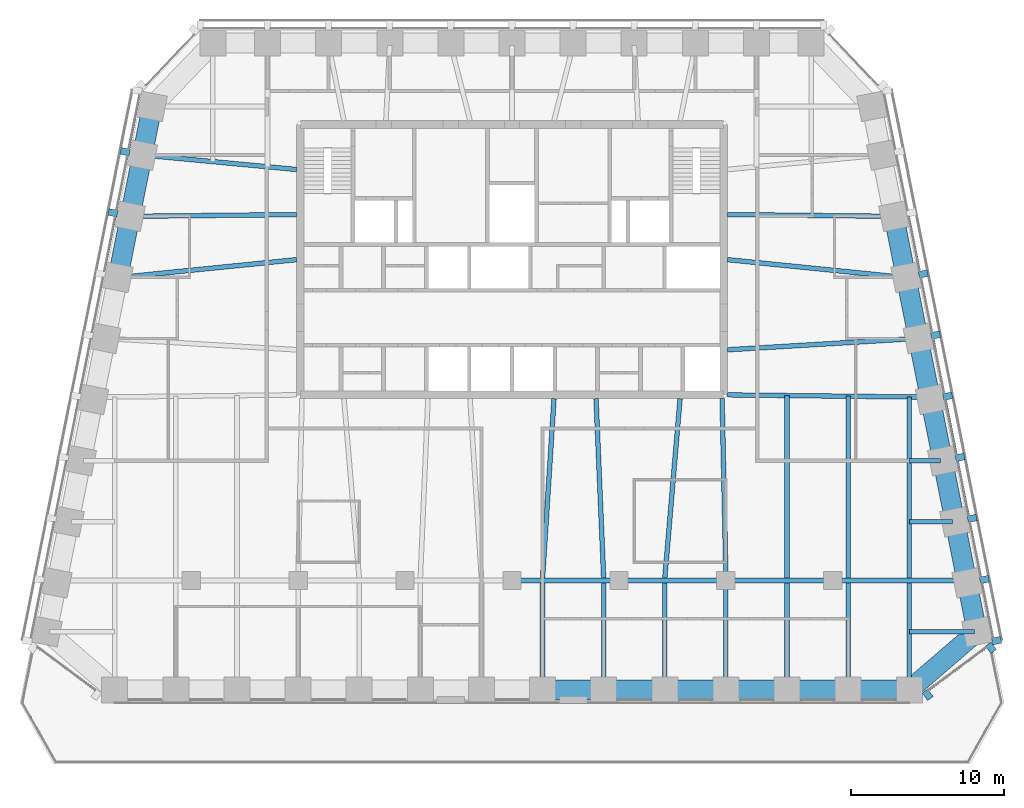
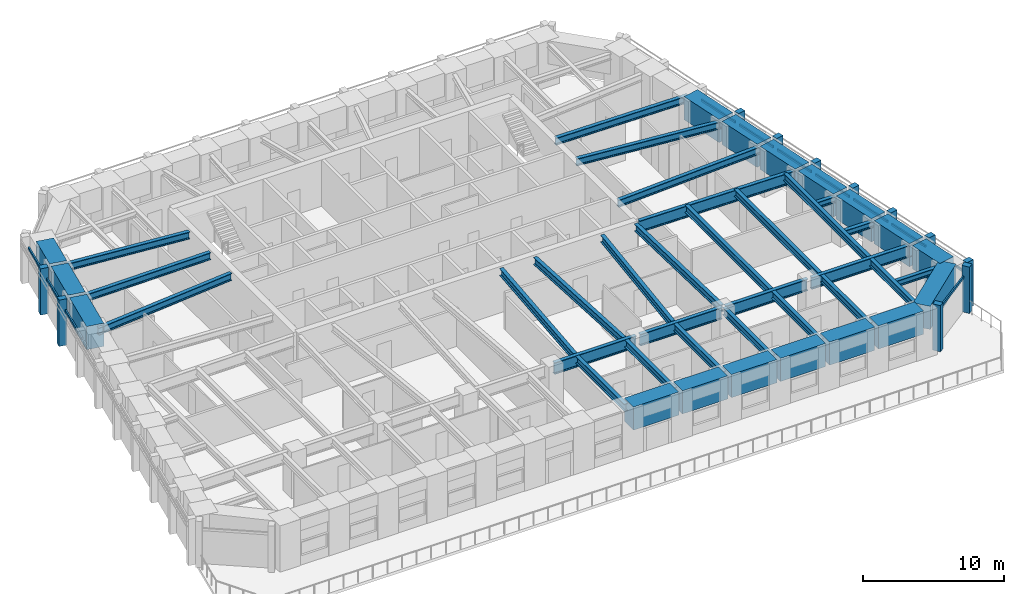
# One storey, part 2 of 10: 45 beams, 22 members, 3 elements without a shape of their own.
"""IFC4 building model written with IfcOpenShell, lengths in metres."""

from ifc_helpers import new_model, si_unit, direction, frame, origin, origin_2d, place, context, subcontext, project, spatial, rectangle, i_section, extrude, material, material_profile, profile_set, type_object, element, aggregate, save


model = new_model("IFC4")

# Units and contexts
model_context = context("Model", 3, precision=1e-05, world=origin(), true_north=direction((0.0, 1.0)))
body_context = subcontext(model_context, "Body", "Model", "MODEL_VIEW")
ifc_project = project(units=[si_unit("LENGTHUNIT", "METRE"), si_unit("AREAUNIT", "SQUARE_METRE"), si_unit("VOLUMEUNIT", "CUBIC_METRE"), si_unit("PLANEANGLEUNIT", "RADIAN"), si_unit("MASSUNIT", "GRAM", prefix="KILO")], contexts=[model_context])

# Site, building, storey
site_placement = place(None, origin())
site = spatial("IfcSite", under=ifc_project, at=site_placement, CompositionType="ELEMENT")
building_placement = place(site_placement, origin())
building = spatial("IfcBuilding", under=site, at=building_placement, Name="Isbrekke Arena Tower", CompositionType="ELEMENT")
storey_placement = place(building_placement, frame((0.0, 0.0, 260.0)))
storey = spatial("IfcBuildingStorey", under=building, at=storey_placement, Name="L60", CompositionType="ELEMENT", Elevation=260.0)

# Beams
ifc_material_1 = material(Name="Steel S355", Category="steel")
ifc_material_profile_1 = material_profile(ifc_material_1, i_section(OverallWidth=0.304931640625, OverallDepth=0.6201171875, WebThickness=0.02099609375, FlangeThickness=0.0400390625, FilletRadius=0.027099609375, at=origin_2d()), Name="HEM 600")
ifc_profile_set_1 = profile_set([ifc_material_profile_1], Name="Steel S355")
beam_type_1 = type_object("IfcBeamType", Name="B4 HEM 600", PredefinedType="BEAM", material=ifc_profile_set_1)
for number, where, z_axis, x_axis, name in (
    (1, (2.0, -13.02490234375, 3.5400390625), (0.0, 1.0, 0.0), (-1.0, 0.0, 0.0), "B4 beam S-S08 L60"),
    (2, (6.0, -13.02490234375, 3.5400390625), (0.0, 1.0, 0.0), (-1.0, 0.0, 0.0), "B4 beam S-S09 L60"),
    (3, (10.0, -13.02490234375, 3.5400390625), (0.0, 1.0, 0.0), (-1.0, 0.0, 0.0), "B4 beam S-S10 L60"),
):
    element("IfcBeam", number, at=place(storey_placement, frame(where, z_axis=z_axis, x_axis=x_axis)), inside=storey, type_object=beam_type_1, Name=name, PredefinedType="BEAM", context=body_context, shape_type="SweptSolid", body=[
        extrude(i_section(OverallWidth=0.304931640625, OverallDepth=0.6201171875, WebThickness=0.02099609375, FlangeThickness=0.0400390625, FilletRadius=0.027099609375, at=origin_2d()), origin(), (0.0, 0.0, 1.0), 6.8740234375),
    ])
beam_1_placement = place(storey_placement, frame((14.0, -13.02490234375, 3.5400390625), z_axis=(0.0, 1.0, 0.0), x_axis=(-1.0, 0.0, 0.0)))
element("IfcBeam", 4, at=beam_1_placement, inside=storey, type_object=beam_type_1, Name="B4 beam S-S11 L60", PredefinedType="BEAM", context=body_context, shape_type="SweptSolid", body=[
    extrude(i_section(OverallWidth=0.304931640625, OverallDepth=0.6201171875, WebThickness=0.02099609375, FlangeThickness=0.0400390625, FilletRadius=0.027099609375, at=origin_2d()), origin(), (0.0, 0.0, 1.0), 6.875),
])
for number, where, z_axis, x_axis, name in (
    (5, (18.0, -13.02490234375, 3.5400390625), (0.0, 1.0, 0.0), (-1.0, 0.0, 0.0), "B4 beam S-S12 L60"),
    (6, (22.0, -13.02490234375, 3.5400390625), (0.0, 1.0, 0.0), (-1.0, 0.0, 0.0), "B4 beam S-S13 L60"),
    (7, (26.0, -13.02490234375, 3.5400390625), (0.0, 1.0, 0.0), (-1.0, 0.0, 0.0), "B4 beam S-S14 L60"),
):
    element("IfcBeam", number, at=place(storey_placement, frame(where, z_axis=z_axis, x_axis=x_axis)), inside=storey, type_object=beam_type_1, Name=name, PredefinedType="BEAM", context=body_context, shape_type="SweptSolid", body=[
        extrude(i_section(OverallWidth=0.304931640625, OverallDepth=0.6201171875, WebThickness=0.02099609375, FlangeThickness=0.0400390625, FilletRadius=0.027099609375, at=origin_2d()), origin(), (0.0, 0.0, 1.0), 6.8740234375),
    ])
beam_2_placement = place(storey_placement, frame((2.000732421875, -5.83935546875, 3.5400390625), z_axis=(0.063696196046, 0.997969335506, 0.0), x_axis=(-0.997969335506, 0.063696196046, 0.0)))
element("IfcBeam", 8, at=beam_2_placement, inside=storey, type_object=beam_type_1, Name="B4 beam C-M08 L60", PredefinedType="BEAM", context=body_context, shape_type="SweptSolid", body=[
    extrude(i_section(OverallWidth=0.304931640625, OverallDepth=0.6201171875, WebThickness=0.02099609375, FlangeThickness=0.0400390625, FilletRadius=0.027099609375, at=origin_2d()), origin(), (0.0, 0.0, 1.0), 11.76318359375),
])
beam_3_placement = place(storey_placement, frame((5.999755859375, -5.842529296875, 3.5400390625), z_axis=(-0.042521334166, 0.999095559064, 0.0), x_axis=(-0.999095559064, -0.042521334166, 0.0)))
element("IfcBeam", 9, at=beam_3_placement, inside=storey, type_object=beam_type_1, Name="B4 beam C-M09 L60", PredefinedType="BEAM", context=body_context, shape_type="SweptSolid", body=[
    extrude(i_section(OverallWidth=0.304931640625, OverallDepth=0.6201171875, WebThickness=0.02099609375, FlangeThickness=0.0400390625, FilletRadius=0.027099609375, at=origin_2d()), origin(), (0.0, 0.0, 1.0), 11.753173828125),
])
beam_4_placement = place(storey_placement, frame((10.0009765625, -5.836181640625, 3.5400390625), z_axis=(0.084817344046, 0.996396516528, 0.0), x_axis=(-0.996396516528, 0.084817344046, 0.0)))
element("IfcBeam", 10, at=beam_4_placement, inside=storey, type_object=beam_type_1, Name="B4 beam C-M10 L60", PredefinedType="BEAM", context=body_context, shape_type="SweptSolid", body=[
    extrude(i_section(OverallWidth=0.304931640625, OverallDepth=0.6201171875, WebThickness=0.02099609375, FlangeThickness=0.0400390625, FilletRadius=0.027099609375, at=origin_2d()), origin(), (0.0, 0.0, 1.0), 11.778564453125),
])
beam_5_placement = place(storey_placement, frame((14.0, -5.8466796875, 3.5400390625), z_axis=(-0.021277968258, 0.999773598405, 0.0), x_axis=(-0.999773598405, -0.021277968258, 0.0)))
element("IfcBeam", 11, at=beam_5_placement, inside=storey, type_object=beam_type_1, Name="B4 beam C-M11 L60", PredefinedType="BEAM", context=body_context, shape_type="SweptSolid", body=[
    extrude(i_section(OverallWidth=0.304931640625, OverallDepth=0.6201171875, WebThickness=0.02099609375, FlangeThickness=0.0400390625, FilletRadius=0.027099609375, at=origin_2d()), origin(), (0.0, 0.0, 1.0), 11.749267578125),
])
beam_6_placement = place(storey_placement, frame((18.0, -5.84912109375, 3.5400390625), z_axis=(0.0, 1.0, 0.0), x_axis=(-1.0, 0.0, 0.0)))
element("IfcBeam", 12, at=beam_6_placement, inside=storey, type_object=beam_type_1, Name="B4 beam C-M12 L60", PredefinedType="BEAM", context=body_context, shape_type="SweptSolid", body=[
    extrude(i_section(OverallWidth=0.304931640625, OverallDepth=0.6201171875, WebThickness=0.02099609375, FlangeThickness=0.0400390625, FilletRadius=0.027099609375, at=origin_2d()), origin(), (0.0, 0.0, 1.0), 11.955078125),
])
beam_7_placement = place(storey_placement, frame((22.0, -5.84912109375, 3.5400390625), z_axis=(0.0, 1.0, 0.0), x_axis=(-1.0, 0.0, 0.0)))
element("IfcBeam", 13, at=beam_7_placement, inside=storey, type_object=beam_type_1, Name="B4 beam C-M13 L60", PredefinedType="BEAM", context=body_context, shape_type="SweptSolid", body=[
    extrude(i_section(OverallWidth=0.304931640625, OverallDepth=0.6201171875, WebThickness=0.02099609375, FlangeThickness=0.0400390625, FilletRadius=0.027099609375, at=origin_2d()), origin(), (0.0, 0.0, 1.0), 11.909912109375),
])
beam_8_placement = place(storey_placement, frame((26.0, -5.84912109375, 3.5400390625), z_axis=(0.0, 1.0, 0.0), x_axis=(-1.0, 0.0, 0.0)))
element("IfcBeam", 14, at=beam_8_placement, inside=storey, type_object=beam_type_1, Name="B4 beam C-M14 L60", PredefinedType="BEAM", context=body_context, shape_type="SweptSolid", body=[
    extrude(i_section(OverallWidth=0.304931640625, OverallDepth=0.6201171875, WebThickness=0.02099609375, FlangeThickness=0.0400390625, FilletRadius=0.027099609375, at=origin_2d()), origin(), (0.0, 0.0, 1.0), 11.86474609375),
])
beam_9_placement = place(storey_placement, frame((26.431884765625, 9.837646484375, 3.5400390625), z_axis=(-0.998216240514, -0.059702070095, 0.0), x_axis=(0.059702070095, -0.998216240514, 0.0)))
element("IfcBeam", 15, at=beam_9_placement, inside=storey, type_object=beam_type_1, Name="B4 beam E-E06 L60", PredefinedType="BEAM", context=body_context, shape_type="SweptSolid", body=[
    extrude(i_section(OverallWidth=0.304931640625, OverallDepth=0.6201171875, WebThickness=0.02099609375, FlangeThickness=0.0400390625, FilletRadius=0.027099609375, at=origin_2d()), origin(), (0.0, 0.0, 1.0), 12.353759765625),
])
beam_10_placement = place(storey_placement, frame((25.625732421875, 13.83984375, 3.5400390625), z_axis=(-0.994972081505, 0.100152668587, 0.0), x_axis=(-0.100152668587, -0.994972081505, 0.0)))
element("IfcBeam", 16, at=beam_10_placement, inside=storey, type_object=beam_type_1, Name="B4 beam E-E07 L60", PredefinedType="BEAM", context=body_context, shape_type="SweptSolid", body=[
    extrude(i_section(OverallWidth=0.304931640625, OverallDepth=0.6201171875, WebThickness=0.02099609375, FlangeThickness=0.0400390625, FilletRadius=0.027099609375, at=origin_2d()), origin(), (0.0, 0.0, 1.0), 11.583984375),
])
beam_11_placement = place(storey_placement, frame((24.83935546875, 17.838134765625, 3.5400390625), z_axis=(-0.999945800258, 0.010411366203, 0.0), x_axis=(-0.010411366203, -0.999945800258, 0.0)))
element("IfcBeam", 17, at=beam_11_placement, inside=storey, type_object=beam_type_1, Name="B4 beam E-E08 L60", PredefinedType="BEAM", context=body_context, shape_type="SweptSolid", body=[
    extrude(i_section(OverallWidth=0.304931640625, OverallDepth=0.6201171875, WebThickness=0.02099609375, FlangeThickness=0.0400390625, FilletRadius=0.027099609375, at=origin_2d()), origin(), (0.0, 0.0, 1.0), 10.73974609375),
])
beam_12_placement = place(storey_placement, frame((-24.02685546875, 21.8369140625, 3.5400390625), z_axis=(0.995574576627, -0.093974796485, 0.0), x_axis=(0.093974796485, 0.995574576627, 0.0)))
element("IfcBeam", 18, at=beam_12_placement, inside=storey, type_object=beam_type_1, Name="B4 beam E-W02 L60", PredefinedType="BEAM", context=body_context, shape_type="SweptSolid", body=[
    extrude(i_section(OverallWidth=0.304931640625, OverallDepth=0.6201171875, WebThickness=0.02099609375, FlangeThickness=0.0400390625, FilletRadius=0.027099609375, at=origin_2d()), origin(), (0.0, 0.0, 1.0), 9.970947265625),
])
beam_13_placement = place(storey_placement, frame((-24.83935546875, 17.838134765625, 3.5400390625), z_axis=(0.999945800258, 0.010411366203, 0.0), x_axis=(-0.010411366203, 0.999945800258, 0.0)))
element("IfcBeam", 19, at=beam_13_placement, inside=storey, type_object=beam_type_1, Name="B4 beam E-W03 L60", PredefinedType="BEAM", context=body_context, shape_type="SweptSolid", body=[
    extrude(i_section(OverallWidth=0.304931640625, OverallDepth=0.6201171875, WebThickness=0.02099609375, FlangeThickness=0.0400390625, FilletRadius=0.027099609375, at=origin_2d()), origin(), (0.0, 0.0, 1.0), 10.73974609375),
])
beam_14_placement = place(storey_placement, frame((-25.625732421875, 13.83984375, 3.5400390625), z_axis=(0.994972081505, 0.100152668587, 0.0), x_axis=(-0.100152668587, 0.994972081505, 0.0)))
element("IfcBeam", 20, at=beam_14_placement, inside=storey, type_object=beam_type_1, Name="B4 beam E-W04 L60", PredefinedType="BEAM", context=body_context, shape_type="SweptSolid", body=[
    extrude(i_section(OverallWidth=0.304931640625, OverallDepth=0.6201171875, WebThickness=0.02099609375, FlangeThickness=0.0400390625, FilletRadius=0.027099609375, at=origin_2d()), origin(), (0.0, 0.0, 1.0), 11.583984375),
])
ifc_material_2 = material(Name="Steel S355", Category="steel")
ifc_material_profile_2 = material_profile(ifc_material_2, i_section(OverallWidth=0.305908203125, OverallDepth=0.52392578125, WebThickness=0.02099609375, FlangeThickness=0.0400390625, FilletRadius=0.027099609375, at=origin_2d()), Name="HEM 500")
ifc_profile_set_2 = profile_set([ifc_material_profile_2], Name="Steel S355")
beam_type_2 = type_object("IfcBeamType", Name="B5 HEM 500", PredefinedType="BEAM", material=ifc_profile_set_2)
beam_15_placement = place(storey_placement, frame((30.279296875, -9.352783203125, 3.587890625), z_axis=(-1.0, 0.0, 0.0), x_axis=(0.0, -1.0, 0.0)))
element("IfcBeam", 21, at=beam_15_placement, inside=storey, type_object=beam_type_2, Name="B5 beam E-E01 L60", PredefinedType="BEAM", context=body_context, shape_type="SweptSolid", body=[
    extrude(i_section(OverallWidth=0.305908203125, OverallDepth=0.52392578125, WebThickness=0.02099609375, FlangeThickness=0.0400390625, FilletRadius=0.027099609375, at=origin_2d()), origin(), (0.0, 0.0, 1.0), 4.279296875),
])
beam_16_placement = place(storey_placement, frame((28.841064453125, -2.161865234375, 3.587890625), z_axis=(-1.0, 0.0, 0.0), x_axis=(0.0, -1.0, 0.0)))
element("IfcBeam", 22, at=beam_16_placement, inside=storey, type_object=beam_type_2, Name="B5 beam E-E03 L60", PredefinedType="BEAM", context=body_context, shape_type="SweptSolid", body=[
    extrude(i_section(OverallWidth=0.305908203125, OverallDepth=0.52392578125, WebThickness=0.02099609375, FlangeThickness=0.0400390625, FilletRadius=0.027099609375, at=origin_2d()), origin(), (0.0, 0.0, 1.0), 2.841064453125),
])
beam_17_placement = place(storey_placement, frame((28.041015625, 1.838134765625, 3.587890625), z_axis=(-1.0, 0.0, 0.0), x_axis=(0.0, -1.0, 0.0)))
element("IfcBeam", 23, at=beam_17_placement, inside=storey, type_object=beam_type_2, Name="B5 beam E-E04 L60", PredefinedType="BEAM", context=body_context, shape_type="SweptSolid", body=[
    extrude(i_section(OverallWidth=0.305908203125, OverallDepth=0.52392578125, WebThickness=0.02099609375, FlangeThickness=0.0400390625, FilletRadius=0.027099609375, at=origin_2d()), origin(), (0.0, 0.0, 1.0), 2.041015625),
])

# Curtain wall, members
ifc_material_3 = material(Name="Glazed aluminium curtain wall", Category="aluminium")
curtain_wall_type = type_object("IfcCurtainWallType", Name="CWT TOWER CURTAIN WALL TOP ZONE", PredefinedType="USERDEFINED", material=ifc_material_3)
curtain_wall_1_placement = place(storey_placement, origin())
curtain_wall_1 = element("IfcCurtainWall", 24, at=curtain_wall_1_placement, inside=storey, type_object=curtain_wall_type, Name="CWT curtain wall L60-SE", ObjectType="TOWER CURTAIN WALL TOP ZONE", PredefinedType="USERDEFINED")
ifc_material_4 = material(Name="Copper-clad aluminium mullion", Category="aluminium")
ifc_material_profile_3 = material_profile(ifc_material_4, rectangle(XDim=0.449951171875, YDim=0.60009765625, at=origin_2d()), Name="PIER 450X600")
ifc_profile_set_3 = profile_set([ifc_material_profile_3], Name="Copper-clad aluminium mullion")
member_type_1 = type_object("IfcMemberType", Name="CWT-M PIER MULLION 450 x 600", PredefinedType="MULLION", material=ifc_profile_set_3)
member_1_placement = place(storey_placement, frame((27.206787109375, -13.4794921875, 0.0), z_axis=(0.0, 0.0, 1.0), x_axis=(0.803557193345, 0.595227550626, 0.0)))
member_1 = element("IfcMember", 25, at=member_1_placement, type_object=member_type_1, Name="CWT-M mullion 1", PredefinedType="MULLION", context=body_context, shape_type="SweptSolid", body=[
    extrude(rectangle(XDim=0.449951171875, YDim=0.60009765625, at=origin_2d()), origin(), (0.0, 0.0, 1.0), 4.0),
])
member_2_placement = place(storey_placement, frame((31.3564453125, -10.405517578125, 0.0), z_axis=(0.0, 0.0, 1.0), x_axis=(0.803557193345, 0.595227550626, 0.0)))
member_2 = element("IfcMember", 26, at=member_2_placement, type_object=member_type_1, Name="CWT-M mullion 2", PredefinedType="MULLION", context=body_context, shape_type="SweptSolid", body=[
    extrude(rectangle(XDim=0.449951171875, YDim=0.60009765625, at=origin_2d()), origin(), (0.0, 0.0, 1.0), 4.0),
])

curtain_wall_2_placement = place(storey_placement, origin())
curtain_wall_2 = element("IfcCurtainWall", 27, at=curtain_wall_2_placement, inside=storey, type_object=curtain_wall_type, Name="CWT curtain wall L60-E", ObjectType="TOWER CURTAIN WALL TOP ZONE", PredefinedType="USERDEFINED")
member_3_placement = place(storey_placement, frame((31.71875, -9.936279296875, 0.0), z_axis=(0.0, 0.0, 1.0), x_axis=(-0.196116135138, 0.980580675691, 0.0)))
member_3 = element("IfcMember", 28, at=member_3_placement, type_object=member_type_1, Name="CWT-M mullion 1", PredefinedType="MULLION", context=body_context, shape_type="SweptSolid", body=[
    extrude(rectangle(XDim=0.449951171875, YDim=0.60009765625, at=origin_2d()), origin(), (0.0, 0.0, 1.0), 4.0),
])
member_4_placement = place(storey_placement, frame((30.918701171875, -5.936279296875, 0.0), z_axis=(0.0, 0.0, 1.0), x_axis=(-0.196116135138, 0.980580675691, 0.0)))
member_4 = element("IfcMember", 29, at=member_4_placement, type_object=member_type_1, Name="CWT-M mullion 2", PredefinedType="MULLION", context=body_context, shape_type="SweptSolid", body=[
    extrude(rectangle(XDim=0.449951171875, YDim=0.60009765625, at=origin_2d()), origin(), (0.0, 0.0, 1.0), 4.0),
])
member_5_placement = place(storey_placement, frame((30.11865234375, -1.936279296875, 0.0), z_axis=(0.0, 0.0, 1.0), x_axis=(-0.196116135138, 0.980580675691, 0.0)))
member_5 = element("IfcMember", 30, at=member_5_placement, type_object=member_type_1, Name="CWT-M mullion 3", PredefinedType="MULLION", context=body_context, shape_type="SweptSolid", body=[
    extrude(rectangle(XDim=0.449951171875, YDim=0.60009765625, at=origin_2d()), origin(), (0.0, 0.0, 1.0), 4.0),
])
member_6_placement = place(storey_placement, frame((29.318603515625, 2.063720703125, 0.0), z_axis=(0.0, 0.0, 1.0), x_axis=(-0.196116135138, 0.980580675691, 0.0)))
member_6 = element("IfcMember", 31, at=member_6_placement, type_object=member_type_1, Name="CWT-M mullion 4", PredefinedType="MULLION", context=body_context, shape_type="SweptSolid", body=[
    extrude(rectangle(XDim=0.449951171875, YDim=0.60009765625, at=origin_2d()), origin(), (0.0, 0.0, 1.0), 4.0),
])
member_7_placement = place(storey_placement, frame((28.518798828125, 6.063720703125, 0.0), z_axis=(0.0, 0.0, 1.0), x_axis=(-0.196116135138, 0.980580675691, 0.0)))
member_7 = element("IfcMember", 32, at=member_7_placement, type_object=member_type_1, Name="CWT-M mullion 5", PredefinedType="MULLION", context=body_context, shape_type="SweptSolid", body=[
    extrude(rectangle(XDim=0.449951171875, YDim=0.60009765625, at=origin_2d()), origin(), (0.0, 0.0, 1.0), 4.0),
])
member_8_placement = place(storey_placement, frame((27.71875, 10.063720703125, 0.0), z_axis=(0.0, 0.0, 1.0), x_axis=(-0.196116135138, 0.980580675691, 0.0)))
member_8 = element("IfcMember", 33, at=member_8_placement, type_object=member_type_1, Name="CWT-M mullion 6", PredefinedType="MULLION", context=body_context, shape_type="SweptSolid", body=[
    extrude(rectangle(XDim=0.449951171875, YDim=0.60009765625, at=origin_2d()), origin(), (0.0, 0.0, 1.0), 4.0),
])
member_9_placement = place(storey_placement, frame((26.918701171875, 14.063720703125, 0.0), z_axis=(0.0, 0.0, 1.0), x_axis=(-0.196116135138, 0.980580675691, 0.0)))
member_9 = element("IfcMember", 34, at=member_9_placement, type_object=member_type_1, Name="CWT-M mullion 7", PredefinedType="MULLION", context=body_context, shape_type="SweptSolid", body=[
    extrude(rectangle(XDim=0.449951171875, YDim=0.60009765625, at=origin_2d()), origin(), (0.0, 0.0, 1.0), 4.0),
])

curtain_wall_3_placement = place(storey_placement, origin())
curtain_wall_3 = element("IfcCurtainWall", 35, at=curtain_wall_3_placement, inside=storey, type_object=curtain_wall_type, Name="CWT curtain wall L60-W", ObjectType="TOWER CURTAIN WALL TOP ZONE", PredefinedType="USERDEFINED")
member_10_placement = place(storey_placement, frame((-25.318603515625, 22.063720703125, 0.0), z_axis=(0.0, 0.0, 1.0), x_axis=(-0.196116135138, -0.980580675691, 0.0)))
member_10 = element("IfcMember", 36, at=member_10_placement, type_object=member_type_1, Name="CWT-M mullion 2", PredefinedType="MULLION", context=body_context, shape_type="SweptSolid", body=[
    extrude(rectangle(XDim=0.449951171875, YDim=0.60009765625, at=origin_2d()), origin(), (0.0, 0.0, 1.0), 4.0),
])
member_11_placement = place(storey_placement, frame((-26.11865234375, 18.063720703125, 0.0), z_axis=(0.0, 0.0, 1.0), x_axis=(-0.196116135138, -0.980580675691, 0.0)))
member_11 = element("IfcMember", 37, at=member_11_placement, type_object=member_type_1, Name="CWT-M mullion 3", PredefinedType="MULLION", context=body_context, shape_type="SweptSolid", body=[
    extrude(rectangle(XDim=0.449951171875, YDim=0.60009765625, at=origin_2d()), origin(), (0.0, 0.0, 1.0), 4.0),
])

# Member
ifc_material_5 = material(Name="Aluminium transom", Category="aluminium")
ifc_material_profile_4 = material_profile(ifc_material_5, rectangle(XDim=0.1201171875, YDim=0.199951171875, at=origin_2d()), Name="TRANSOM 120X200")
ifc_profile_set_4 = profile_set([ifc_material_profile_4], Name="Aluminium transom")
member_type_2 = type_object("IfcMemberType", Name="CWT-T TRANSOM 120 x 200", PredefinedType="USERDEFINED", material=ifc_profile_set_4)
member_12_placement = place(storey_placement, frame((27.2685546875, -13.184814453125, 3.0), z_axis=(0.803565450225, 0.595216403676, 0.0), x_axis=(-0.595216403676, 0.803565450225, 0.0)))
member_12 = element("IfcMember", 38, at=member_12_placement, type_object=member_type_2, Name="CWT-T transom 1", ObjectType="TRANSOM", PredefinedType="USERDEFINED", context=body_context, shape_type="SweptSolid", body=[
    extrude(rectangle(XDim=0.1201171875, YDim=0.199951171875, at=origin_2d()), origin(), (0.0, 0.0, 1.0), 4.714111328125),
])

aggregate(curtain_wall_1, [member_1, member_2, member_12])

member_13_placement = place(storey_placement, frame((31.478515625, -9.7548828125, 3.0), z_axis=(-0.196154943734, 0.980572913173, 0.0), x_axis=(-0.980572913173, -0.196154943734, 0.0)))
member_13 = element("IfcMember", 39, at=member_13_placement, type_object=member_type_2, Name="CWT-T transom 1", ObjectType="TRANSOM", PredefinedType="USERDEFINED", context=body_context, shape_type="SweptSolid", body=[
    extrude(rectangle(XDim=0.1201171875, YDim=0.199951171875, at=origin_2d()), origin(), (0.0, 0.0, 1.0), 3.62939453125),
])

member_14_placement = place(storey_placement, frame((30.678466796875, -5.7548828125, 3.0), z_axis=(-0.196090262229, 0.980585849918, 0.0), x_axis=(-0.980585849918, -0.196090262229, 0.0)))
member_14 = element("IfcMember", 40, at=member_14_placement, type_object=member_type_2, Name="CWT-T transom 2", ObjectType="TRANSOM", PredefinedType="USERDEFINED", context=body_context, shape_type="SweptSolid", body=[
    extrude(rectangle(XDim=0.1201171875, YDim=0.199951171875, at=origin_2d()), origin(), (0.0, 0.0, 1.0), 3.62939453125),
])

member_15_placement = place(storey_placement, frame((29.87841796875, -1.7548828125, 3.0), z_axis=(-0.196090262229, 0.980585849918, 0.0), x_axis=(-0.980585849918, -0.196090262229, 0.0)))
member_15 = element("IfcMember", 41, at=member_15_placement, type_object=member_type_2, Name="CWT-T transom 3", ObjectType="TRANSOM", PredefinedType="USERDEFINED", context=body_context, shape_type="SweptSolid", body=[
    extrude(rectangle(XDim=0.1201171875, YDim=0.199951171875, at=origin_2d()), origin(), (0.0, 0.0, 1.0), 3.62939453125),
])

member_16_placement = place(storey_placement, frame((29.078369140625, 2.2451171875, 3.0), z_axis=(-0.196090262229, 0.980585849918, 0.0), x_axis=(-0.980585849918, -0.196090262229, 0.0)))
member_16 = element("IfcMember", 42, at=member_16_placement, type_object=member_type_2, Name="CWT-T transom 4", ObjectType="TRANSOM", PredefinedType="USERDEFINED", context=body_context, shape_type="SweptSolid", body=[
    extrude(rectangle(XDim=0.1201171875, YDim=0.199951171875, at=origin_2d()), origin(), (0.0, 0.0, 1.0), 3.62939453125),
])

member_17_placement = place(storey_placement, frame((28.278564453125, 6.2451171875, 3.0), z_axis=(-0.196154943734, 0.980572913173, 0.0), x_axis=(-0.980572913173, -0.196154943734, 0.0)))
member_17 = element("IfcMember", 43, at=member_17_placement, type_object=member_type_2, Name="CWT-T transom 5", ObjectType="TRANSOM", PredefinedType="USERDEFINED", context=body_context, shape_type="SweptSolid", body=[
    extrude(rectangle(XDim=0.1201171875, YDim=0.199951171875, at=origin_2d()), origin(), (0.0, 0.0, 1.0), 3.62939453125),
])

member_18_placement = place(storey_placement, frame((27.478515625, 10.2451171875, 3.0), z_axis=(-0.196154943734, 0.980572913173, 0.0), x_axis=(-0.980572913173, -0.196154943734, 0.0)))
member_18 = element("IfcMember", 44, at=member_18_placement, type_object=member_type_2, Name="CWT-T transom 6", ObjectType="TRANSOM", PredefinedType="USERDEFINED", context=body_context, shape_type="SweptSolid", body=[
    extrude(rectangle(XDim=0.1201171875, YDim=0.199951171875, at=origin_2d()), origin(), (0.0, 0.0, 1.0), 3.62939453125),
])

member_19_placement = place(storey_placement, frame((26.678466796875, 14.2451171875, 3.0), z_axis=(-0.196090262229, 0.980585849918, 0.0), x_axis=(-0.980585849918, -0.196090262229, 0.0)))
member_19 = element("IfcMember", 45, at=member_19_placement, type_object=member_type_2, Name="CWT-T transom 7", ObjectType="TRANSOM", PredefinedType="USERDEFINED", context=body_context, shape_type="SweptSolid", body=[
    extrude(rectangle(XDim=0.1201171875, YDim=0.199951171875, at=origin_2d()), origin(), (0.0, 0.0, 1.0), 3.62939453125),
])

aggregate(curtain_wall_2, [member_3, member_4, member_5, member_6, member_7, member_8, member_9, member_13, member_14, member_15, member_16, member_17, member_18, member_19])

member_20_placement = place(storey_placement, frame((-24.36669921875, 25.803955078125, 3.0), z_axis=(-0.196090262229, -0.980585849918, 0.0), x_axis=(0.980585849918, -0.196090262229, 0.0)))
member_20 = element("IfcMember", 46, at=member_20_placement, type_object=member_type_2, Name="CWT-T transom 1", ObjectType="TRANSOM", PredefinedType="USERDEFINED", context=body_context, shape_type="SweptSolid", body=[
    extrude(rectangle(XDim=0.1201171875, YDim=0.199951171875, at=origin_2d()), origin(), (0.0, 0.0, 1.0), 3.62939453125),
])

member_21_placement = place(storey_placement, frame((-25.166748046875, 21.803955078125, 3.0), z_axis=(-0.196090262229, -0.980585849918, 0.0), x_axis=(0.980585849918, -0.196090262229, 0.0)))
member_21 = element("IfcMember", 47, at=member_21_placement, type_object=member_type_2, Name="CWT-T transom 2", ObjectType="TRANSOM", PredefinedType="USERDEFINED", context=body_context, shape_type="SweptSolid", body=[
    extrude(rectangle(XDim=0.1201171875, YDim=0.199951171875, at=origin_2d()), origin(), (0.0, 0.0, 1.0), 3.62939453125),
])

member_22_placement = place(storey_placement, frame((-25.966796875, 17.803955078125, 3.0), z_axis=(-0.196090262229, -0.980585849918, 0.0), x_axis=(0.980585849918, -0.196090262229, 0.0)))
member_22 = element("IfcMember", 48, at=member_22_placement, type_object=member_type_2, Name="CWT-T transom 3", ObjectType="TRANSOM", PredefinedType="USERDEFINED", context=body_context, shape_type="SweptSolid", body=[
    extrude(rectangle(XDim=0.1201171875, YDim=0.199951171875, at=origin_2d()), origin(), (0.0, 0.0, 1.0), 3.62939453125),
])

aggregate(curtain_wall_3, [member_10, member_11, member_20, member_21, member_22])

# Beams
ifc_material_6 = material(Name="Steel S355", Category="steel")
ifc_material_profile_5 = material_profile(ifc_material_6, i_section(OverallWidth=0.302001953125, OverallDepth=1.008056640625, WebThickness=0.02099609375, FlangeThickness=0.0400390625, FilletRadius=0.030029296875, at=origin_2d()), Name="HEM 1000")
ifc_profile_set_5 = profile_set([ifc_material_profile_5], Name="Steel S355")
beam_type_3 = type_object("IfcBeamType", Name="G1 HEM 1000", PredefinedType="BEAM", material=ifc_profile_set_5)
for number, where, z_axis, x_axis, name in (
    (49, (0.14990234375, -6.0, 3.345947265625), (1.0, 0.0, 0.0), (0.0, 1.0, 0.0), "G1 beam G1-05 L60"),
    (50, (7.14990234375, -6.0, 3.345947265625), (1.0, 0.0, 0.0), (0.0, 1.0, 0.0), "G1 beam G1-06 L60"),
    (51, (14.14990234375, -6.0, 3.345947265625), (1.0, 0.0, 0.0), (0.0, 1.0, 0.0), "G1 beam G1-07 L60"),
):
    element("IfcBeam", number, at=place(storey_placement, frame(where, z_axis=z_axis, x_axis=x_axis)), inside=storey, type_object=beam_type_3, Name=name, PredefinedType="BEAM", context=body_context, shape_type="SweptSolid", body=[
        extrude(i_section(OverallWidth=0.302001953125, OverallDepth=1.008056640625, WebThickness=0.02099609375, FlangeThickness=0.0400390625, FilletRadius=0.030029296875, at=origin_2d()), origin(), (0.0, 0.0, 1.0), 6.7001953125),
    ])
beam_18_placement = place(storey_placement, frame((21.14990234375, -6.0, 3.345947265625), z_axis=(1.0, 0.0, 0.0), x_axis=(0.0, 1.0, 0.0)))
element("IfcBeam", 52, at=beam_18_placement, inside=storey, type_object=beam_type_3, Name="G1 beam G1-08 L60", PredefinedType="BEAM", context=body_context, shape_type="SweptSolid", body=[
    extrude(i_section(OverallWidth=0.302001953125, OverallDepth=1.008056640625, WebThickness=0.02099609375, FlangeThickness=0.0400390625, FilletRadius=0.030029296875, at=origin_2d()), origin(), (0.0, 0.0, 1.0), 8.64111328125),
])
ifc_material_7 = material(Name="Steel S355", Category="steel")
ifc_material_profile_6 = material_profile(ifc_material_7, i_section(OverallWidth=0.302001953125, OverallDepth=1.008056640625, WebThickness=0.02099609375, FlangeThickness=0.0400390625, FilletRadius=0.030029296875, at=origin_2d()), Name="HEM 1000")
ifc_profile_set_6 = profile_set([ifc_material_profile_6], Name="Steel S355")
beam_type_4 = type_object("IfcBeamType", Name="G2 HEM 1000", PredefinedType="BEAM", material=ifc_profile_set_6)
beam_19_placement = place(storey_placement, frame((14.10009765625, 6.14990234375, 3.345947265625), z_axis=(0.999936387749, -0.011279204565, 0.0), x_axis=(0.011279204565, 0.999936387749, 0.0)))
element("IfcBeam", 53, at=beam_19_placement, inside=storey, type_object=beam_type_4, Name="G2 beam G2-E L60", PredefinedType="BEAM", context=body_context, shape_type="SweptSolid", body=[
    extrude(i_section(OverallWidth=0.302001953125, OverallDepth=1.008056640625, WebThickness=0.02099609375, FlangeThickness=0.0400390625, FilletRadius=0.030029296875, at=origin_2d()), origin(), (0.0, 0.0, 1.0), 13.2900390625),
])
ifc_material_8 = material(Name="Concrete B55 (C55/67)", Category="concrete")
ifc_material_profile_7 = material_profile(ifc_material_8, rectangle(XDim=1.300048828125, YDim=2.0, at=origin_2d()), Name="RC 1300x2000")
ifc_profile_set_7 = profile_set([ifc_material_profile_7], Name="Concrete B55 (C55/67)")
beam_type_5 = type_object("IfcBeamType", Name="SB4 RC 1300 x 2000", PredefinedType="SPANDREL", material=ifc_profile_set_7)
for number, where, z_axis, x_axis, name in (
    (54, (2.14990234375, -13.175048828125, 3.0), (1.0, 0.0, 0.0), (0.0, 1.0, 0.0), "SB4 spandrel S08-S09 L60"),
    (55, (6.14990234375, -13.175048828125, 3.0), (1.0, 0.0, 0.0), (0.0, 1.0, 0.0), "SB4 spandrel S09-S10 L60"),
    (56, (10.14990234375, -13.175048828125, 3.0), (1.0, 0.0, 0.0), (0.0, 1.0, 0.0), "SB4 spandrel S10-S11 L60"),
    (57, (14.14990234375, -13.175048828125, 3.0), (1.0, 0.0, 0.0), (0.0, 1.0, 0.0), "SB4 spandrel S11-S12 L60"),
    (58, (18.14990234375, -13.175048828125, 3.0), (1.0, 0.0, 0.0), (0.0, 1.0, 0.0), "SB4 spandrel S12-S13 L60"),
    (59, (22.14990234375, -13.175048828125, 3.0), (1.0, 0.0, 0.0), (0.0, 1.0, 0.0), "SB4 spandrel S13-S14 L60"),
):
    element("IfcBeam", number, at=place(storey_placement, frame(where, z_axis=z_axis, x_axis=x_axis)), inside=storey, type_object=beam_type_5, Name=name, PredefinedType="SPANDREL", context=body_context, shape_type="SweptSolid", body=[
        extrude(rectangle(XDim=1.300048828125, YDim=2.0, at=origin_2d()), origin(), (0.0, 0.0, 1.0), 3.7001953125),
    ])
beam_20_placement = place(storey_placement, frame((26.113525390625, -13.076904296875, 3.0), z_axis=(0.757103829862, 0.653294566646, 0.0), x_axis=(-0.653294566646, 0.757103829862, 0.0)))
element("IfcBeam", 60, at=beam_20_placement, inside=storey, type_object=beam_type_5, Name="SB4 spandrel S14-E01 L60", PredefinedType="SPANDREL", context=body_context, shape_type="SweptSolid", body=[
    extrude(rectangle(XDim=1.300048828125, YDim=2.0, at=origin_2d()), origin(), (0.0, 0.0, 1.0), 5.55029296875),
])
beam_21_placement = place(storey_placement, frame((30.39990234375, -9.205810546875, 3.0), z_axis=(-0.196100243168, 0.980583853951, 0.0), x_axis=(-0.980583853951, -0.196100243168, 0.0)))
element("IfcBeam", 61, at=beam_21_placement, inside=storey, type_object=beam_type_5, Name="SB4 spandrel E01-E02 L60", PredefinedType="SPANDREL", context=body_context, shape_type="SweptSolid", body=[
    extrude(rectangle(XDim=1.300048828125, YDim=2.0, at=origin_2d()), origin(), (0.0, 0.0, 1.0), 2.954345703125),
])
for number, where, z_axis, x_axis, name in (
    (62, (29.76171875, -6.0146484375, 3.0), (-0.196128558387, 0.980578190959, 0.0), (-0.980578190959, -0.196128558387, 0.0), "SB4 spandrel E02-E03 L60"),
    (63, (28.961669921875, -2.0146484375, 3.0), (-0.196128558387, 0.980578190959, 0.0), (-0.980578190959, -0.196128558387, 0.0), "SB4 spandrel E03-E04 L60"),
    (64, (28.16162109375, 1.9853515625, 3.0), (-0.196128558387, 0.980578190959, 0.0), (-0.980578190959, -0.196128558387, 0.0), "SB4 spandrel E04-E05 L60"),
    (65, (27.361572265625, 5.9853515625, 3.0), (-0.196128558387, 0.980578190959, 0.0), (-0.980578190959, -0.196128558387, 0.0), "SB4 spandrel E05-E06 L60"),
):
    element("IfcBeam", number, at=place(storey_placement, frame(where, z_axis=z_axis, x_axis=x_axis)), inside=storey, type_object=beam_type_5, Name=name, PredefinedType="SPANDREL", context=body_context, shape_type="SweptSolid", body=[
        extrude(rectangle(XDim=1.300048828125, YDim=2.0, at=origin_2d()), origin(), (0.0, 0.0, 1.0), 3.779296875),
    ])
beam_22_placement = place(storey_placement, frame((26.5615234375, 9.9853515625, 3.0), z_axis=(-0.1960664412, 0.980590613169, 0.0), x_axis=(-0.980590613169, -0.1960664412, 0.0)))
element("IfcBeam", 66, at=beam_22_placement, inside=storey, type_object=beam_type_5, Name="SB4 spandrel E06-E07 L60", PredefinedType="SPANDREL", context=body_context, shape_type="SweptSolid", body=[
    extrude(rectangle(XDim=1.300048828125, YDim=2.0, at=origin_2d()), origin(), (0.0, 0.0, 1.0), 3.779052734375),
])
beam_23_placement = place(storey_placement, frame((25.76171875, 13.9853515625, 3.0), z_axis=(-0.196128558387, 0.980578190959, 0.0), x_axis=(-0.980578190959, -0.196128558387, 0.0)))
element("IfcBeam", 67, at=beam_23_placement, inside=storey, type_object=beam_type_5, Name="SB4 spandrel E07-E08 L60", PredefinedType="SPANDREL", context=body_context, shape_type="SweptSolid", body=[
    extrude(rectangle(XDim=1.300048828125, YDim=2.0, at=origin_2d()), origin(), (0.0, 0.0, 1.0), 3.779296875),
])
beam_24_placement = place(storey_placement, frame((-23.582275390625, 24.882080078125, 3.0), z_axis=(-0.196116135138, -0.980580675691, 0.0), x_axis=(0.980580675691, -0.196116135138, 0.0)))
element("IfcBeam", 68, at=beam_24_placement, inside=storey, type_object=beam_type_5, Name="SB4 spandrel W01-W02 L60", PredefinedType="SPANDREL", context=body_context, shape_type="SweptSolid", body=[
    extrude(rectangle(XDim=1.300048828125, YDim=2.0, at=origin_2d()), origin(), (0.0, 0.0, 1.0), 2.9541015625),
])
for number, where, z_axis, x_axis, name in (
    (69, (-24.220458984375, 21.691162109375, 3.0), (-0.196128558387, -0.980578190959, 0.0), (0.980578190959, -0.196128558387, 0.0), "SB4 spandrel W02-W03 L60"),
    (70, (-25.0205078125, 17.691162109375, 3.0), (-0.196128558387, -0.980578190959, 0.0), (0.980578190959, -0.196128558387, 0.0), "SB4 spandrel W03-W04 L60"),
):
    element("IfcBeam", number, at=place(storey_placement, frame(where, z_axis=z_axis, x_axis=x_axis)), inside=storey, type_object=beam_type_5, Name=name, PredefinedType="SPANDREL", context=body_context, shape_type="SweptSolid", body=[
        extrude(rectangle(XDim=1.300048828125, YDim=2.0, at=origin_2d()), origin(), (0.0, 0.0, 1.0), 3.779296875),
    ])

save(model, "model.ifc")
